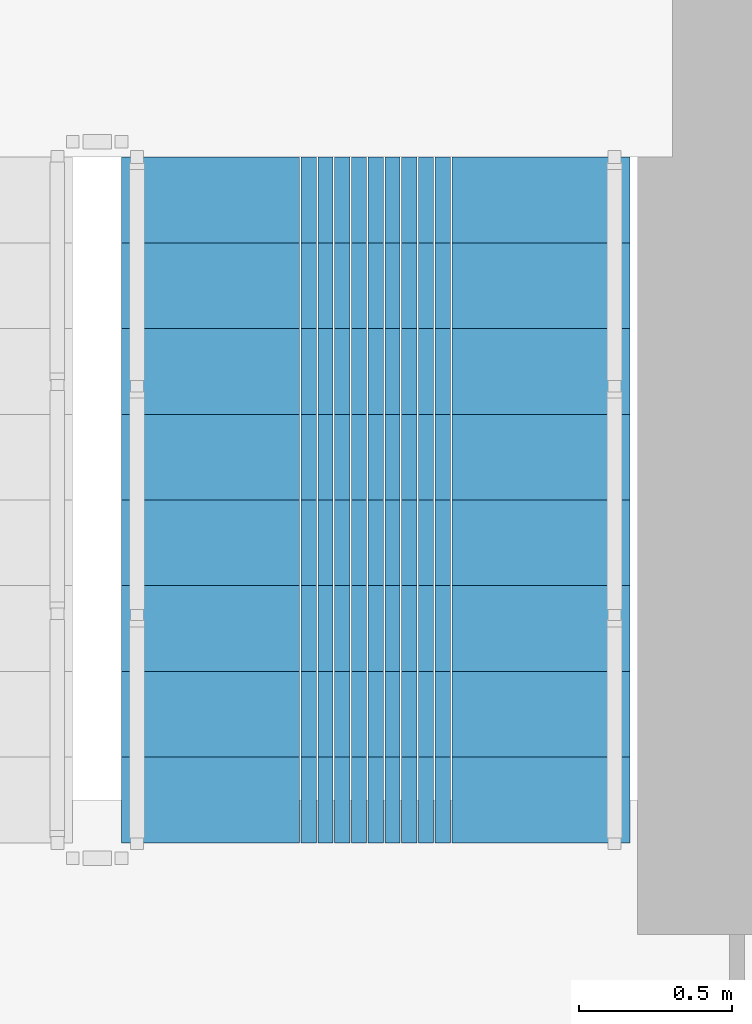
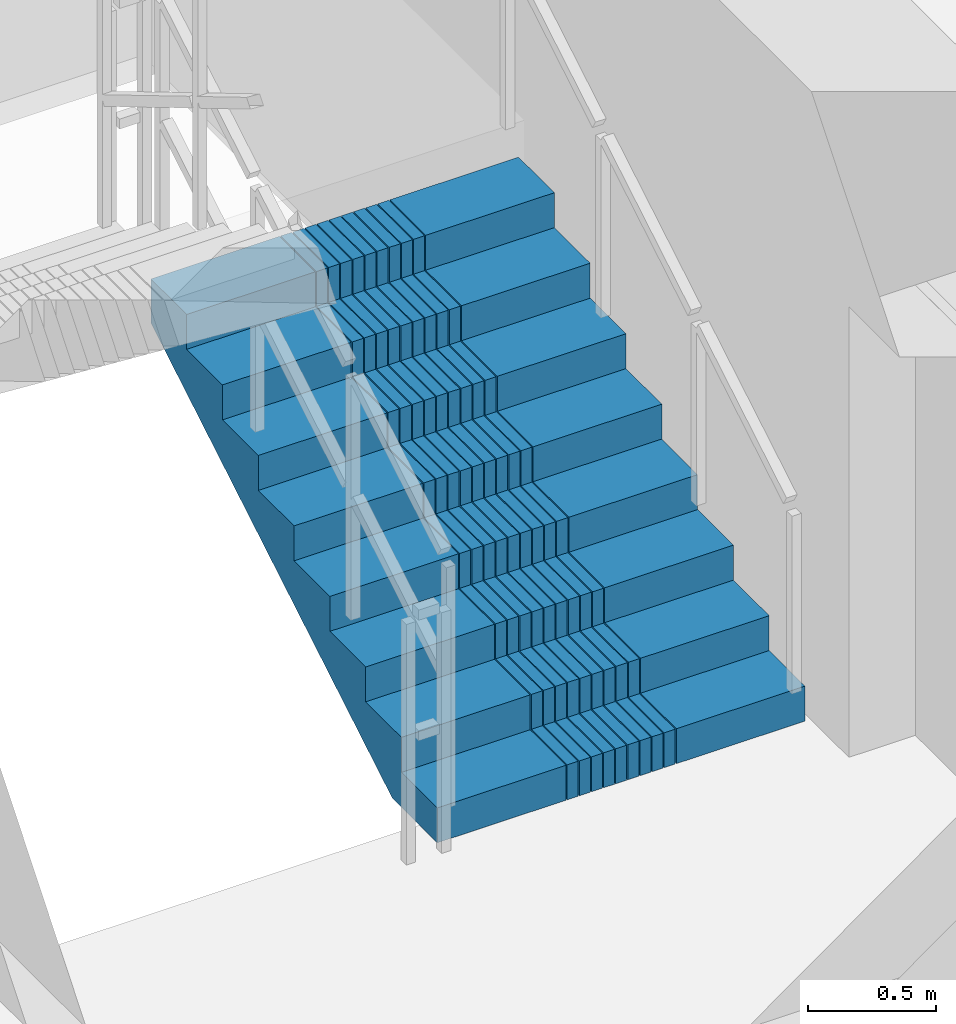
# One storey, part 11 of 17: 1 stair flight, 1 element without a shape of its own.
"""IFC4 building model written with IfcOpenShell, lengths in metres."""

import ifcopenshell
import ifcopenshell.guid

model = None  # the IFC model being written
_history = None  # IfcOwnerHistory: only IFC2X3 demands one
_inside = {}  # id of a spatial element -> (the spatial element, [elements in it])
_under = {}  # id of a project, library or spatial element -> (it, [spatial elements below it])
_declared = {}  # id of a project -> (the project, [libraries it declares])
_typed = {}  # id of a type object -> (the type object, [elements of that type])
_made_of = {}  # id of a material, layer set ... -> (it, [elements and type objects made of it])


def new_model(schema):
    """Start an empty IFC model of exactly this schema.

    Asked for "IFC4X3", IfcOpenShell would pick the latest addendum, in which some entities
    have other attributes; the version numbers below select the first issue.
    IFC2X3 requires an IfcOwnerHistory on every rooted entity: one is made here for all.
    """
    global model, _history
    if schema == "IFC4X3":
        model = ifcopenshell.file(schema_version=(4, 3, 0, 0))
    else:
        model = ifcopenshell.file(schema=schema)
    _inside.clear()
    _under.clear()
    _declared.clear()
    _typed.clear()
    _made_of.clear()
    _history = None
    if model.schema == "IFC2X3":
        org = make("IfcOrganization", Name="unknown")
        user = make(
            "IfcPersonAndOrganization",
            ThePerson=make("IfcPerson", FamilyName="unknown"),
            TheOrganization=org,
        )
        app = make(
            "IfcApplication",
            ApplicationDeveloper=org,
            Version="unknown",
            ApplicationFullName="unknown",
            ApplicationIdentifier="unknown",
        )
        _history = make(
            "IfcOwnerHistory",
            OwningUser=user,
            OwningApplication=app,
            ChangeAction="ADDED",
            CreationDate=0,
        )
    return model


def make(cls, **values):
    """One entity of the class cls with the attributes given. An attribute that is None is left unset."""
    return model.create_entity(
        cls, **{name: value for name, value in values.items() if value is not None}
    )


def rooted(cls, **values):
    """An entity with a GlobalId (a new one), such as an element, a storey or a relation."""
    return make(cls, GlobalId=ifcopenshell.guid.new(), OwnerHistory=_history, **values)


def si_unit(unit_type, name, prefix=None):
    """IfcSIUnit, for example si_unit("LENGTHUNIT", "METRE", prefix="MILLI")."""
    return make("IfcSIUnit", UnitType=unit_type, Prefix=prefix, Name=name)


def assignment(units):
    """IfcUnitAssignment: the units of a project."""
    return None if units is None else make("IfcUnitAssignment", Units=units)


def point(xyz):
    """IfcCartesianPoint."""
    return None if xyz is None else make("IfcCartesianPoint", Coordinates=xyz)


def direction(xyz):
    """IfcDirection."""
    return None if xyz is None else make("IfcDirection", DirectionRatios=xyz)


def frame(location, z_axis=None, x_axis=None):
    """IfcAxis2Placement3D, a coordinate frame: its origin and axes. An axis left out is left unset."""
    return make(
        "IfcAxis2Placement3D",
        Location=point(location),
        Axis=direction(z_axis),
        RefDirection=direction(x_axis),
    )


def origin():
    """The frame at (0, 0, 0) with its axes left unset."""
    return frame((0.0, 0.0, 0.0))


def place(relative_to, where):
    """IfcLocalPlacement: puts the frame where relative to a parent placement (None: the world)."""
    return make(
        "IfcLocalPlacement", PlacementRelTo=relative_to, RelativePlacement=where
    )


def context(
    kind, dimensions, precision=None, world=None, true_north=None, identifier=None
):
    """IfcGeometricRepresentationContext, for example the 3D "Model" context."""
    return make(
        "IfcGeometricRepresentationContext",
        ContextIdentifier=identifier,
        ContextType=kind,
        CoordinateSpaceDimension=dimensions,
        Precision=precision,
        WorldCoordinateSystem=world,
        TrueNorth=true_north,
    )


def subcontext(parent, identifier, kind, view, scale=None):
    """IfcGeometricRepresentationSubContext, for example "Body" below "Model"."""
    return make(
        "IfcGeometricRepresentationSubContext",
        ContextIdentifier=identifier,
        ContextType=kind,
        ParentContext=parent,
        TargetScale=scale,
        TargetView=view,
    )


def project(units=None, contexts=None):
    """IfcProject with its units and contexts."""
    return rooted(
        "IfcProject",
        Name="project",
        RepresentationContexts=contexts,
        UnitsInContext=assignment(units),
    )


def spatial(cls, under=None, at=None, **own):
    """A site, building, storey or space (cls), placed at a placement, below another one or the project."""
    s = rooted(cls, ObjectPlacement=at, **own)
    if under is not None:
        _under.setdefault(under.id(), (under, []))[1].append(s)
    return s


def polyline(points):
    """IfcPolyline through the points."""
    return make("IfcPolyline", Points=[point(p) for p in points])


def outline(outer, holes=None, kind="AREA"):
    """IfcArbitraryClosedProfileDef: a profile drawn as a closed curve; with holes, ...WithVoids."""
    if holes is None:
        return make("IfcArbitraryClosedProfileDef", ProfileType=kind, OuterCurve=outer)
    return make(
        "IfcArbitraryProfileDefWithVoids",
        ProfileType=kind,
        OuterCurve=outer,
        InnerCurves=holes,
    )


def extrude(swept, where, along, depth):
    """IfcExtrudedAreaSolid: the profile swept, set in the frame where, extruded along a direction by depth."""
    return make(
        "IfcExtrudedAreaSolid",
        SweptArea=swept,
        Position=where,
        ExtrudedDirection=direction(along),
        Depth=depth,
    )


def shape(context_of_items, identifier, shape_type, items):
    """IfcShapeRepresentation: the items that make up one representation, for example the "Body"."""
    return make(
        "IfcShapeRepresentation",
        ContextOfItems=context_of_items,
        RepresentationIdentifier=identifier,
        RepresentationType=shape_type,
        Items=items,
    )


def material(Name=None, Category=None):
    """IfcMaterial."""
    return make("IfcMaterial", Name=Name, Category=Category)


def made_of(thing, what):
    """Note that an element or type object is made of a material, layer set ...; save() writes the relation."""
    if what is not None:
        _made_of.setdefault(what.id(), (what, []))[1].append(thing)
    return thing


def type_object(cls, material=None, **own):
    """A type object (cls), such as IfcWallType, which elements share."""
    return made_of(rooted(cls, **own), material)


def element(
    cls,
    number,
    at=None,
    inside=None,
    cuts=None,
    type_object=None,
    material=None,
    context=None,
    identifier="Body",
    shape_type=None,
    held_by="IfcProductDefinitionShape",
    body=None,
    shapes=None,
    **own,
):
    """One element of the class cls, such as IfcWall. Its Tag is "e" and its number.

    at: its placement. inside: the storey or other place that contains it. cuts: it is an
    opening in that element (IfcRelVoidsElement). A single representation is given by context,
    identifier, shape_type and body (its items); several are given by shapes. held_by: the class
    of the entity that holds the representations. save() writes the other relations.
    """
    e = rooted(cls, Tag="e%d" % number, ObjectPlacement=at, **own)
    if body is not None:
        shapes = [shape(context, identifier, shape_type, body)]
    if shapes is not None:
        e.Representation = make(held_by, Representations=shapes)
    if inside is not None:
        _inside.setdefault(inside.id(), (inside, []))[1].append(e)
    if cuts is not None:
        rooted(
            "IfcRelVoidsElement", RelatingBuildingElement=cuts, RelatedOpeningElement=e
        )
    if type_object is not None:
        _typed.setdefault(type_object.id(), (type_object, []))[1].append(e)
    return made_of(e, material)


def aggregate(whole, parts):
    """IfcRelAggregates: a whole, such as a stair, and the parts it consists of."""
    return rooted("IfcRelAggregates", RelatingObject=whole, RelatedObjects=parts)


def save(model, path):
    """Write the relations noted so far, then the file.

    IfcRelAggregates (storeys below a building ...), IfcRelContainedInSpatialStructure (elements
    in a storey), IfcRelDefinesByType, IfcRelAssociatesMaterial and IfcRelDeclares: one each for
    every whole, place, type object, material and project.
    """
    for whole, parts in _under.values():
        aggregate(whole, parts)
    for where, things in _inside.values():
        rooted(
            "IfcRelContainedInSpatialStructure",
            RelatedElements=things,
            RelatingStructure=where,
        )
    for kind, things in _typed.values():
        rooted("IfcRelDefinesByType", RelatedObjects=things, RelatingType=kind)
    for what, things in _made_of.values():
        rooted("IfcRelAssociatesMaterial", RelatedObjects=things, RelatingMaterial=what)
    for by, libraries in _declared.values():
        rooted("IfcRelDeclares", RelatingContext=by, RelatedDefinitions=libraries)
    model.write(path)


model = new_model("IFC4")

# Units and contexts
model_context = context("Model", 3, precision=1e-05, world=origin(), true_north=direction((0.0, 1.0)))
body_context = subcontext(model_context, "Body", "Model", "MODEL_VIEW")
ifc_project = project(units=[si_unit("LENGTHUNIT", "METRE"), si_unit("AREAUNIT", "SQUARE_METRE"), si_unit("VOLUMEUNIT", "CUBIC_METRE"), si_unit("PLANEANGLEUNIT", "RADIAN"), si_unit("MASSUNIT", "GRAM", prefix="KILO")], contexts=[model_context])

# Site, building, storey
site_placement = place(None, origin())
site = spatial("IfcSite", under=ifc_project, at=site_placement, CompositionType="ELEMENT")
building_placement = place(site_placement, origin())
building = spatial("IfcBuilding", under=site, at=building_placement, Name="Saelheon Loggia Tower", CompositionType="ELEMENT")
storey_placement = place(building_placement, frame((0.0, 0.0, 22.39990234375)))
storey = spatial("IfcBuildingStorey", under=building, at=storey_placement, Name="L06", CompositionType="ELEMENT", Elevation=22.39990234375)

# Stair, stair flight
ifc_material = material(Name="Concrete C40/50", Category="concrete")
stair_type = type_object("IfcStairType", Name="Stair_Escape_Core", PredefinedType="HALF_TURN_STAIR", material=ifc_material)
stair_placement = place(storey_placement, origin())
stair = element("IfcStair", 1, at=stair_placement, inside=storey, type_object=stair_type, Name="L06 Special Escape Stair ST2", PredefinedType="HALF_TURN_STAIR")
stair_flight_type = type_object("IfcStairFlightType", Name="StairFlight_Tower_1660", PredefinedType="STRAIGHT", material=ifc_material)
stair_flight_placement = place(storey_placement, frame((43.320068359375, 30.449951171875, 0.0), z_axis=(0.0, 0.0, 1.0), x_axis=(0.0, 1.0, 0.0)))
stair_flight = element("IfcStairFlight", 2, at=stair_flight_placement, type_object=stair_flight_type, Name="ST2 flight 1", NumberOfRisers=9, NumberOfTreads=8, PredefinedType="STRAIGHT", RiserHeight=0.166666667, TreadLength=0.28, context=body_context, shape_type="SweptSolid", body=[
    extrude(outline(polyline([(0.0, 0.0), (0.0, 0.166748046875), (0.280029296875, 0.166748046875), (0.280029296875, 0.333251953125), (0.56005859375, 0.333251953125), (0.56005859375, 0.5), (0.840087890625, 0.5), (0.840087890625, 0.666748046875), (1.1201171875, 0.666748046875), (1.1201171875, 0.833251953125), (1.39990234375, 0.833251953125), (1.39990234375, 1.0), (1.679931640625, 1.0), (1.679931640625, 1.166748046875), (1.9599609375, 1.166748046875), (1.9599609375, 1.333251953125), (2.239990234375, 1.333251953125), (2.239990234375, 1.5), (2.239990234375, 1.1240234375), (0.351806640625, 0.0), (0.0, 0.0)])), frame((0.0, -0.2490234375, 0.0), z_axis=(0.0, -1.0, 0.0), x_axis=(1.0, 0.0, 0.0)), (0.0, 0.0, 1.0), 0.5810546875),
    extrude(outline(polyline([(0.0, 0.0), (0.0, 0.166748046875), (0.280029296875, 0.166748046875), (0.280029296875, 0.333251953125), (0.56005859375, 0.333251953125), (0.56005859375, 0.5), (0.840087890625, 0.5), (0.840087890625, 0.666748046875), (1.1201171875, 0.666748046875), (1.1201171875, 0.833251953125), (1.39990234375, 0.833251953125), (1.39990234375, 1.0), (1.679931640625, 1.0), (1.679931640625, 1.166748046875), (1.9599609375, 1.166748046875), (1.9599609375, 1.333251953125), (2.239990234375, 1.333251953125), (2.239990234375, 1.5), (2.239990234375, 1.1240234375), (0.351806640625, 0.0), (0.0, 0.0)])), frame((0.0, -0.194091796875, 0.0), z_axis=(0.0, -1.0, 0.0), x_axis=(1.0, 0.0, 0.0)), (0.0, 0.0, 1.0), 0.0498046875),
    extrude(outline(polyline([(0.0, 0.0), (0.0, 0.166748046875), (0.280029296875, 0.166748046875), (0.280029296875, 0.333251953125), (0.56005859375, 0.333251953125), (0.56005859375, 0.5), (0.840087890625, 0.5), (0.840087890625, 0.666748046875), (1.1201171875, 0.666748046875), (1.1201171875, 0.833251953125), (1.39990234375, 0.833251953125), (1.39990234375, 1.0), (1.679931640625, 1.0), (1.679931640625, 1.166748046875), (1.9599609375, 1.166748046875), (1.9599609375, 1.333251953125), (2.239990234375, 1.333251953125), (2.239990234375, 1.5), (2.239990234375, 1.1240234375), (0.351806640625, 0.0), (0.0, 0.0)])), frame((0.0, -0.139404296875, 0.0), z_axis=(0.0, -1.0, 0.0), x_axis=(1.0, 0.0, 0.0)), (0.0, 0.0, 1.0), 0.0498046875),
    extrude(outline(polyline([(0.0, 0.0), (0.0, 0.166748046875), (0.280029296875, 0.166748046875), (0.280029296875, 0.333251953125), (0.56005859375, 0.333251953125), (0.56005859375, 0.5), (0.840087890625, 0.5), (0.840087890625, 0.666748046875), (1.1201171875, 0.666748046875), (1.1201171875, 0.833251953125), (1.39990234375, 0.833251953125), (1.39990234375, 1.0), (1.679931640625, 1.0), (1.679931640625, 1.166748046875), (1.9599609375, 1.166748046875), (1.9599609375, 1.333251953125), (2.239990234375, 1.333251953125), (2.239990234375, 1.5), (2.239990234375, 1.1240234375), (0.351806640625, 0.0), (0.0, 0.0)])), frame((0.0, -0.084716796875, 0.0), z_axis=(0.0, -1.0, 0.0), x_axis=(1.0, 0.0, 0.0)), (0.0, 0.0, 1.0), 0.0498046875),
    extrude(outline(polyline([(0.0, 0.0), (0.0, 0.166748046875), (0.280029296875, 0.166748046875), (0.280029296875, 0.333251953125), (0.56005859375, 0.333251953125), (0.56005859375, 0.5), (0.840087890625, 0.5), (0.840087890625, 0.666748046875), (1.1201171875, 0.666748046875), (1.1201171875, 0.833251953125), (1.39990234375, 0.833251953125), (1.39990234375, 1.0), (1.679931640625, 1.0), (1.679931640625, 1.166748046875), (1.9599609375, 1.166748046875), (1.9599609375, 1.333251953125), (2.239990234375, 1.333251953125), (2.239990234375, 1.5), (2.239990234375, 1.1240234375), (0.351806640625, 0.0), (0.0, 0.0)])), frame((0.0, -0.02978515625, 0.0), z_axis=(0.0, -1.0, 0.0), x_axis=(1.0, 0.0, 0.0)), (0.0, 0.0, 1.0), 0.0498046875),
    extrude(outline(polyline([(0.0, 0.0), (0.0, 0.166748046875), (0.280029296875, 0.166748046875), (0.280029296875, 0.333251953125), (0.56005859375, 0.333251953125), (0.56005859375, 0.5), (0.840087890625, 0.5), (0.840087890625, 0.666748046875), (1.1201171875, 0.666748046875), (1.1201171875, 0.833251953125), (1.39990234375, 0.833251953125), (1.39990234375, 1.0), (1.679931640625, 1.0), (1.679931640625, 1.166748046875), (1.9599609375, 1.166748046875), (1.9599609375, 1.333251953125), (2.239990234375, 1.333251953125), (2.239990234375, 1.5), (2.239990234375, 1.1240234375), (0.351806640625, 0.0), (0.0, 0.0)])), frame((0.0, 0.02490234375, 0.0), z_axis=(0.0, -1.0, 0.0), x_axis=(1.0, 0.0, 0.0)), (0.0, 0.0, 1.0), 0.0498046875),
    extrude(outline(polyline([(0.0, 0.0), (0.0, 0.166748046875), (0.280029296875, 0.166748046875), (0.280029296875, 0.333251953125), (0.56005859375, 0.333251953125), (0.56005859375, 0.5), (0.840087890625, 0.5), (0.840087890625, 0.666748046875), (1.1201171875, 0.666748046875), (1.1201171875, 0.833251953125), (1.39990234375, 0.833251953125), (1.39990234375, 1.0), (1.679931640625, 1.0), (1.679931640625, 1.166748046875), (1.9599609375, 1.166748046875), (1.9599609375, 1.333251953125), (2.239990234375, 1.333251953125), (2.239990234375, 1.5), (2.239990234375, 1.1240234375), (0.351806640625, 0.0), (0.0, 0.0)])), frame((0.0, 0.07958984375, 0.0), z_axis=(0.0, -1.0, 0.0), x_axis=(1.0, 0.0, 0.0)), (0.0, 0.0, 1.0), 0.0498046875),
    extrude(outline(polyline([(0.0, 0.0), (0.0, 0.166748046875), (0.280029296875, 0.166748046875), (0.280029296875, 0.333251953125), (0.56005859375, 0.333251953125), (0.56005859375, 0.5), (0.840087890625, 0.5), (0.840087890625, 0.666748046875), (1.1201171875, 0.666748046875), (1.1201171875, 0.833251953125), (1.39990234375, 0.833251953125), (1.39990234375, 1.0), (1.679931640625, 1.0), (1.679931640625, 1.166748046875), (1.9599609375, 1.166748046875), (1.9599609375, 1.333251953125), (2.239990234375, 1.333251953125), (2.239990234375, 1.5), (2.239990234375, 1.1240234375), (0.351806640625, 0.0), (0.0, 0.0)])), frame((0.0, 0.134521484375, 0.0), z_axis=(0.0, -1.0, 0.0), x_axis=(1.0, 0.0, 0.0)), (0.0, 0.0, 1.0), 0.0498046875),
    extrude(outline(polyline([(0.0, 0.0), (0.0, 0.166748046875), (0.280029296875, 0.166748046875), (0.280029296875, 0.333251953125), (0.56005859375, 0.333251953125), (0.56005859375, 0.5), (0.840087890625, 0.5), (0.840087890625, 0.666748046875), (1.1201171875, 0.666748046875), (1.1201171875, 0.833251953125), (1.39990234375, 0.833251953125), (1.39990234375, 1.0), (1.679931640625, 1.0), (1.679931640625, 1.166748046875), (1.9599609375, 1.166748046875), (1.9599609375, 1.333251953125), (2.239990234375, 1.333251953125), (2.239990234375, 1.5), (2.239990234375, 1.1240234375), (0.351806640625, 0.0), (0.0, 0.0)])), frame((0.0, 0.189208984375, 0.0), z_axis=(0.0, -1.0, 0.0), x_axis=(1.0, 0.0, 0.0)), (0.0, 0.0, 1.0), 0.0498046875),
    extrude(outline(polyline([(0.0, 0.0), (0.0, 0.166748046875), (0.280029296875, 0.166748046875), (0.280029296875, 0.333251953125), (0.56005859375, 0.333251953125), (0.56005859375, 0.5), (0.840087890625, 0.5), (0.840087890625, 0.666748046875), (1.1201171875, 0.666748046875), (1.1201171875, 0.833251953125), (1.39990234375, 0.833251953125), (1.39990234375, 1.0), (1.679931640625, 1.0), (1.679931640625, 1.166748046875), (1.9599609375, 1.166748046875), (1.9599609375, 1.333251953125), (2.239990234375, 1.333251953125), (2.239990234375, 1.5), (2.239990234375, 1.1240234375), (0.351806640625, 0.0), (0.0, 0.0)])), frame((0.0, 0.243896484375, 0.0), z_axis=(0.0, -1.0, 0.0), x_axis=(1.0, 0.0, 0.0)), (0.0, 0.0, 1.0), 0.0498046875),
    extrude(outline(polyline([(0.0, 0.0), (0.0, 0.166748046875), (0.280029296875, 0.166748046875), (0.280029296875, 0.333251953125), (0.56005859375, 0.333251953125), (0.56005859375, 0.5), (0.840087890625, 0.5), (0.840087890625, 0.666748046875), (1.1201171875, 0.666748046875), (1.1201171875, 0.833251953125), (1.39990234375, 0.833251953125), (1.39990234375, 1.0), (1.679931640625, 1.0), (1.679931640625, 1.166748046875), (1.9599609375, 1.166748046875), (1.9599609375, 1.333251953125), (2.239990234375, 1.333251953125), (2.239990234375, 1.5), (2.239990234375, 1.1240234375), (0.351806640625, 0.0), (0.0, 0.0)])), frame((0.0, 0.830078125, 0.0), z_axis=(0.0, -1.0, 0.0), x_axis=(1.0, 0.0, 0.0)), (0.0, 0.0, 1.0), 0.5810546875),
])
aggregate(stair, [stair_flight])

save(model, "model.ifc")
